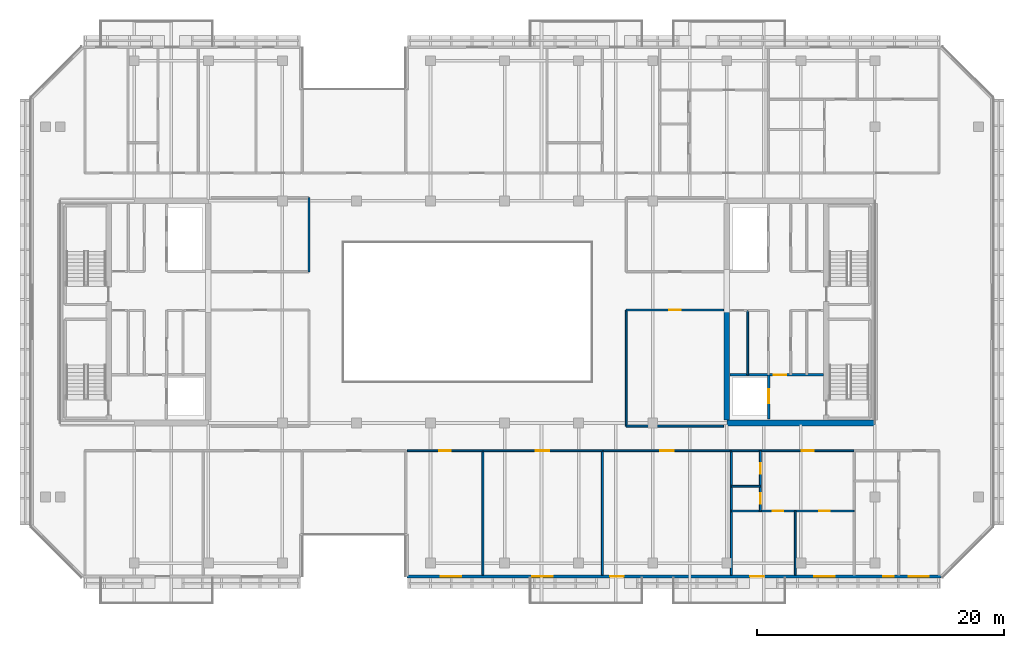
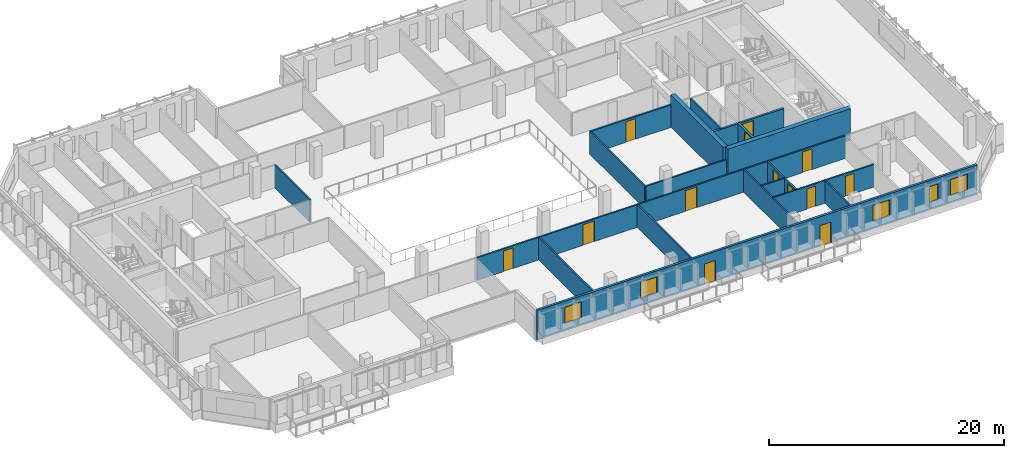
# One storey, part 7 of 16: 21 walls, 13 doors, 5 windows, 18 openings.
"""IFC4 building model written with IfcOpenShell, lengths in metres."""

from ifc_helpers import new_model, si_unit, direction, frame, frame_2d, origin, place, context, subcontext, project, spatial, rectangle, extrude, material, layer, layer_set, type_object, element, fill, save


model = new_model("IFC4")

# Units and contexts
model_context = context("Model", 3, precision=1e-05, world=origin(), true_north=direction((0.0, 1.0)))
body_context = subcontext(model_context, "Body", "Model", "MODEL_VIEW")
ifc_project = project(units=[si_unit("LENGTHUNIT", "METRE"), si_unit("AREAUNIT", "SQUARE_METRE"), si_unit("VOLUMEUNIT", "CUBIC_METRE"), si_unit("PLANEANGLEUNIT", "RADIAN"), si_unit("MASSUNIT", "GRAM", prefix="KILO")], contexts=[model_context])

# Site, building, storey
site_placement = place(None, origin())
site = spatial("IfcSite", under=ifc_project, at=site_placement, CompositionType="ELEMENT")
building_placement = place(site_placement, origin())
building = spatial("IfcBuilding", under=site, at=building_placement, Name="Tanjung Sevakor Pilgrim Tower", CompositionType="ELEMENT")
storey_placement = place(building_placement, frame((0.0, 0.0, 191.72998046875)))
storey = spatial("IfcBuildingStorey", under=building, at=storey_placement, Name="L53", CompositionType="ELEMENT", Elevation=191.72998046875)

# Walls
ifc_material_1 = material(Name="Concrete C60/75", Category="concrete")
ifc_layer_1 = layer(ifc_material_1, 0.449951171875)
ifc_layer_set_1 = layer_set([ifc_layer_1], Name="WALL-CW-450")
wall_type_1 = type_object("IfcWallType", Name="WALL-CW-450", PredefinedType="SHEAR", material=ifc_layer_set_1)
wall_1_placement = place(storey_placement, frame((78.0, 24.60009765625, 0.0), z_axis=(0.0, 0.0, 1.0), x_axis=(1.0, 0.0, 0.0)))
element("IfcWall", 1, at=wall_1_placement, inside=storey, type_object=wall_type_1, Name="L53 E Core South Shear Wall", PredefinedType="SHEAR", context=body_context, shape_type="SweptSolid", body=[
    extrude(rectangle(XDim=12.0, YDim=0.449951171875, at=frame_2d((6.0, 0.0))), origin(), (0.0, 0.0, 1.0), 3.300048828125),
])
wall_2_placement = place(storey_placement, frame((78.0, 24.824951171875, 0.0), z_axis=(0.0, 0.0, 1.0), x_axis=(0.0, 1.0, 0.0)))
element("IfcWall", 2, at=wall_2_placement, inside=storey, type_object=wall_type_1, Name="L53 E Core Inner Shear Wall South", PredefinedType="SHEAR", context=body_context, shape_type="SweptSolid", body=[
    extrude(rectangle(XDim=8.97509765625, YDim=0.449951171875, at=frame_2d((4.487548828125, 0.0))), origin(), (0.0, 0.0, 1.0), 3.300048828125),
])
ifc_material_2 = material(Name="Concrete C40/50", Category="concrete")
ifc_layer_2 = layer(ifc_material_2, 0.14990234375)
ifc_layer_set_2 = layer_set([ifc_layer_2], Name="WT-COMP-150")
wall_type_2 = type_object("IfcWallType", Name="WT-COMP-150", PredefinedType="SOLIDWALL", material=ifc_layer_set_2)
wall_3_placement = place(storey_placement, frame((79.699951171875, 28.5, 0.0), z_axis=(0.0, 0.0, 1.0), x_axis=(0.0, 1.0, 0.0)))
element("IfcWall", 3, at=wall_3_placement, inside=storey, type_object=wall_type_2, Name="L53 Partition IW-L53-023", PredefinedType="SOLIDWALL", context=body_context, shape_type="SweptSolid", body=[
    extrude(rectangle(XDim=5.219970703125, YDim=0.14990234375, at=frame_2d((2.60986328125, 0.0))), origin(), (0.0, 0.0, 1.0), 2.35009765625),
])
wall_4_placement = place(storey_placement, frame((44.14990234375, 36.85009765625, 0.0), z_axis=(0.0, 0.0, 1.0), x_axis=(0.0, 1.0, 0.0)))
element("IfcWall", 4, at=wall_4_placement, inside=storey, type_object=wall_type_2, Name="L53 Partition IW-L53-038", PredefinedType="SOLIDWALL", context=body_context, shape_type="SweptSolid", body=[
    extrude(rectangle(XDim=6.0, YDim=0.14990234375, at=frame_2d((3.0, 0.0))), origin(), (0.0, 0.0, 1.0), 2.35009765625),
])
wall_5_placement = place(storey_placement, frame((69.85009765625, 24.35009765625, 0.0), z_axis=(0.0, 0.0, 1.0), x_axis=(1.0, 0.0, 0.0)))
element("IfcWall", 5, at=wall_5_placement, inside=storey, type_object=wall_type_2, Name="L53 Partition IW-L53-039", PredefinedType="SOLIDWALL", context=body_context, shape_type="SweptSolid", body=[
    extrude(rectangle(XDim=7.90478515625, YDim=0.14990234375, at=frame_2d((3.952392578125, 0.0))), origin(), (0.0, 0.0, 1.0), 2.35009765625),
])

# Wall, opening, door
wall_6_placement = place(storey_placement, frame((69.85009765625, 33.75, 0.0), z_axis=(0.0, 0.0, 1.0), x_axis=(1.0, 0.0, 0.0)))
wall_6 = element("IfcWall", 6, at=wall_6_placement, inside=storey, type_object=wall_type_2, Name="L53 Partition IW-L53-040", PredefinedType="SOLIDWALL", context=body_context, shape_type="SweptSolid", body=[
    extrude(rectangle(XDim=7.90478515625, YDim=0.14990234375, at=frame_2d((3.952392578125, 0.0))), origin(), (0.0, 0.0, 1.0), 2.35009765625),
])
opening_1_placement = place(wall_6_placement, frame((3.4775390625, 0.0, 0.0)))
opening_1 = element("IfcOpeningElement", 7, at=opening_1_placement, cuts=wall_6, Name="Opening ID-RM1", PredefinedType="OPENING", context=body_context, shape_type="SweptSolid", body=[
    extrude(rectangle(XDim=0.949951171875, YDim=2.14990234375, at=frame_2d((0.47509765625, 1.074951171875))), frame((0.0, 0.0849609375, 0.0), z_axis=(0.0, -1.0, 0.0), x_axis=(1.0, 0.0, 0.0)), (0.0, 0.0, 1.0), 0.169921875),
])
ifc_material_3 = material(Name="Hardwood Timber", Category="wood")
door_type_1 = type_object("IfcDoorType", Name="DT-INT-950", OperationType="NOTDEFINED", PredefinedType="DOOR", material=ifc_material_3)
door_1_placement = place(opening_1_placement, origin())
door_1 = element("IfcDoor", 8, at=door_1_placement, inside=storey, type_object=door_type_1, Name="L53 East Inboard South Door", OperationType="SINGLE_SWING_RIGHT", OverallHeight=2.14990234375, OverallWidth=0.949951171875, PredefinedType="DOOR", context=body_context, shape_type="SweptSolid", body=[
    extrude(rectangle(XDim=0.949951171875, YDim=2.14990234375, at=frame_2d((0.47509765625, 1.074951171875))), frame((0.0, 0.02490234375, 0.0), z_axis=(0.0, -1.0, 0.0), x_axis=(1.0, 0.0, 0.0)), (0.0, 0.0, 1.0), 0.050048828125),
])
fill(opening_1, door_1)

# Walls
wall_7_placement = place(storey_placement, frame((69.85009765625, 24.35009765625, 0.0), z_axis=(0.0, 0.0, 1.0), x_axis=(0.0, 1.0, 0.0)))
element("IfcWall", 9, at=wall_7_placement, inside=storey, type_object=wall_type_2, Name="L53 Partition IW-L53-041", PredefinedType="SOLIDWALL", context=body_context, shape_type="SweptSolid", body=[
    extrude(rectangle(XDim=9.39990234375, YDim=0.14990234375, at=frame_2d((4.699951171875, 0.0))), origin(), (0.0, 0.0, 1.0), 2.35009765625),
])
wall_8_placement = place(storey_placement, frame((58.23779296875, 12.27001953125, 0.0), z_axis=(0.0, 0.0, 1.0), x_axis=(0.0, 1.0, 0.0)))
element("IfcWall", 10, at=wall_8_placement, inside=storey, type_object=wall_type_2, Name="L53 Partition IW-L53-056", PredefinedType="SOLIDWALL", context=body_context, shape_type="SweptSolid", body=[
    extrude(rectangle(XDim=10.080078125, YDim=0.14990234375, at=frame_2d((5.0400390625, 0.0))), origin(), (0.0, 0.0, 1.0), 2.35009765625),
])

# Wall, opening, door
wall_9_placement = place(storey_placement, frame((52.1201171875, 22.35009765625, 0.0), z_axis=(0.0, 0.0, 1.0), x_axis=(1.0, 0.0, 0.0)))
wall_9 = element("IfcWall", 11, at=wall_9_placement, inside=storey, type_object=wall_type_2, Name="L53 Partition IW-L53-057", PredefinedType="SOLIDWALL", context=body_context, shape_type="SweptSolid", body=[
    extrude(rectangle(XDim=6.11767578125, YDim=0.14990234375, at=frame_2d((3.058837890625, 0.0))), origin(), (0.0, 0.0, 1.0), 2.35009765625),
])
opening_2_placement = place(wall_9_placement, frame((2.583984375, 0.0, 0.0)))
opening_2 = element("IfcOpeningElement", 12, at=opening_2_placement, cuts=wall_9, Name="Opening ID-FD2", PredefinedType="OPENING", context=body_context, shape_type="SweptSolid", body=[
    extrude(rectangle(XDim=0.949951171875, YDim=2.14990234375, at=frame_2d((0.47509765625, 1.074951171875))), frame((0.0, 0.0849609375, 0.0), z_axis=(0.0, -1.0, 0.0), x_axis=(1.0, 0.0, 0.0)), (0.0, 0.0, 1.0), 0.169921875),
])
ifc_material_4 = material(Name="Fire-Rated Timber", Category="wood")
door_type_2 = type_object("IfcDoorType", Name="DT-FIRE-950", OperationType="NOTDEFINED", PredefinedType="DOOR", material=ifc_material_4)
door_2_placement = place(opening_2_placement, origin())
door_2 = element("IfcDoor", 13, at=door_2_placement, inside=storey, type_object=door_type_2, Name="Housekeeping Pantry Door", OperationType="SINGLE_SWING_RIGHT", OverallHeight=2.14990234375, OverallWidth=0.949951171875, PredefinedType="DOOR", context=body_context, shape_type="SweptSolid", body=[
    extrude(rectangle(XDim=0.949951171875, YDim=2.14990234375, at=frame_2d((0.47509765625, 1.074951171875))), frame((0.0, 0.02490234375, 0.0), z_axis=(0.0, -1.0, 0.0), x_axis=(1.0, 0.0, 0.0)), (0.0, 0.0, 1.0), 0.050048828125),
])
fill(opening_2, door_2)

# Wall
wall_10_placement = place(storey_placement, frame((67.924560546875, 12.27001953125, 0.0), z_axis=(0.0, 0.0, 1.0), x_axis=(0.0, 1.0, 0.0)))
element("IfcWall", 14, at=wall_10_placement, inside=storey, type_object=wall_type_2, Name="L53 Partition IW-L53-058", PredefinedType="SOLIDWALL", context=body_context, shape_type="SweptSolid", body=[
    extrude(rectangle(XDim=10.080078125, YDim=0.14990234375, at=frame_2d((5.0400390625, 0.0))), origin(), (0.0, 0.0, 1.0), 2.35009765625),
])

# Wall, opening, door
wall_11_placement = place(storey_placement, frame((58.23779296875, 22.35009765625, 0.0), z_axis=(0.0, 0.0, 1.0), x_axis=(1.0, 0.0, 0.0)))
wall_11 = element("IfcWall", 15, at=wall_11_placement, inside=storey, type_object=wall_type_2, Name="L53 Partition IW-L53-059", PredefinedType="SOLIDWALL", context=body_context, shape_type="SweptSolid", body=[
    extrude(rectangle(XDim=9.686767578125, YDim=0.14990234375, at=frame_2d((4.84326171875, 0.0))), origin(), (0.0, 0.0, 1.0), 2.35009765625),
])
opening_3_placement = place(wall_11_placement, frame((4.293212890625, 0.0, 0.0)))
opening_3 = element("IfcOpeningElement", 16, at=opening_3_placement, cuts=wall_11, Name="Opening ID-FD0", PredefinedType="OPENING", context=body_context, shape_type="SweptSolid", body=[
    extrude(rectangle(XDim=1.10009765625, YDim=2.14990234375, at=frame_2d((0.550048828125, 1.074951171875))), frame((0.0, 0.0849609375, 0.0), z_axis=(0.0, -1.0, 0.0), x_axis=(1.0, 0.0, 0.0)), (0.0, 0.0, 1.0), 0.169921875),
])
ifc_material_5 = material(Name="Fire-Rated Steel S355J2", Category="steel")
door_type_3 = type_object("IfcDoorType", Name="DT-FIRE-1100", OperationType="NOTDEFINED", PredefinedType="DOOR", material=ifc_material_5)
door_3_placement = place(opening_3_placement, origin())
door_3 = element("IfcDoor", 17, at=door_3_placement, inside=storey, type_object=door_type_3, Name="Seminar Room Door", OperationType="SINGLE_SWING_LEFT", OverallHeight=2.14990234375, OverallWidth=1.10009765625, PredefinedType="DOOR", context=body_context, shape_type="SweptSolid", body=[
    extrude(rectangle(XDim=1.10009765625, YDim=2.14990234375, at=frame_2d((0.550048828125, 1.074951171875))), frame((0.0, 0.02490234375, 0.0), z_axis=(0.0, -1.0, 0.0), x_axis=(1.0, 0.0, 0.0)), (0.0, 0.0, 1.0), 0.050048828125),
])
fill(opening_3, door_3)

# Wall
wall_12_placement = place(storey_placement, frame((78.3759765625, 12.27001953125, 0.0), z_axis=(0.0, 0.0, 1.0), x_axis=(0.0, 1.0, 0.0)))
element("IfcWall", 18, at=wall_12_placement, inside=storey, type_object=wall_type_2, Name="L53 Partition IW-L53-060", PredefinedType="SOLIDWALL", context=body_context, shape_type="SweptSolid", body=[
    extrude(rectangle(XDim=10.080078125, YDim=0.14990234375, at=frame_2d((5.0400390625, 0.0))), origin(), (0.0, 0.0, 1.0), 2.35009765625),
])

# Wall, opening, door
wall_13_placement = place(storey_placement, frame((67.924560546875, 22.35009765625, 0.0), z_axis=(0.0, 0.0, 1.0), x_axis=(1.0, 0.0, 0.0)))
wall_13 = element("IfcWall", 19, at=wall_13_placement, inside=storey, type_object=wall_type_2, Name="L53 Partition IW-L53-061", PredefinedType="SOLIDWALL", context=body_context, shape_type="SweptSolid", body=[
    extrude(rectangle(XDim=10.451416015625, YDim=0.14990234375, at=frame_2d((5.2255859375, 0.0))), origin(), (0.0, 0.0, 1.0), 2.35009765625),
])
opening_4_placement = place(wall_13_placement, frame((4.67578125, 0.0, 0.0)))
opening_4 = element("IfcOpeningElement", 20, at=opening_4_placement, cuts=wall_13, Name="Opening ID-FD0", PredefinedType="OPENING", context=body_context, shape_type="SweptSolid", body=[
    extrude(rectangle(XDim=1.10009765625, YDim=2.14990234375, at=frame_2d((0.550048828125, 1.074951171875))), frame((0.0, 0.0849609375, 0.0), z_axis=(0.0, -1.0, 0.0), x_axis=(1.0, 0.0, 0.0)), (0.0, 0.0, 1.0), 0.169921875),
])
door_4_placement = place(opening_4_placement, origin())
door_4 = element("IfcDoor", 21, at=door_4_placement, inside=storey, type_object=door_type_3, Name="Observatory Door", OperationType="SINGLE_SWING_RIGHT", OverallHeight=2.14990234375, OverallWidth=1.10009765625, PredefinedType="DOOR", context=body_context, shape_type="SweptSolid", body=[
    extrude(rectangle(XDim=1.10009765625, YDim=2.14990234375, at=frame_2d((0.550048828125, 1.074951171875))), frame((0.0, 0.02490234375, 0.0), z_axis=(0.0, -1.0, 0.0), x_axis=(1.0, 0.0, 0.0)), (0.0, 0.0, 1.0), 0.050048828125),
])
fill(opening_4, door_4)

wall_14_placement = place(storey_placement, frame((78.3759765625, 22.35009765625, 0.0), z_axis=(0.0, 0.0, 1.0), x_axis=(1.0, 0.0, 0.0)))
wall_14 = element("IfcWall", 22, at=wall_14_placement, inside=storey, type_object=wall_type_2, Name="L53 Partition IW-L53-067", PredefinedType="SOLIDWALL", context=body_context, shape_type="SweptSolid", body=[
    extrude(rectangle(XDim=9.94140625, YDim=0.14990234375, at=frame_2d((4.970703125, 0.0))), origin(), (0.0, 0.0, 1.0), 2.35009765625),
])
opening_5_placement = place(wall_14_placement, frame((5.710693359375, 0.0, 0.0)))
opening_5 = element("IfcOpeningElement", 23, at=opening_5_placement, cuts=wall_14, Name="Opening ID-FD2", PredefinedType="OPENING", context=body_context, shape_type="SweptSolid", body=[
    extrude(rectangle(XDim=0.949951171875, YDim=2.14990234375, at=frame_2d((0.47509765625, 1.074951171875))), frame((0.0, 0.0849609375, 0.0), z_axis=(0.0, -1.0, 0.0), x_axis=(1.0, 0.0, 0.0)), (0.0, 0.0, 1.0), 0.169921875),
])
door_5_placement = place(opening_5_placement, origin())
door_5 = element("IfcDoor", 24, at=door_5_placement, inside=storey, type_object=door_type_2, Name="Suite Entrance", OperationType="SINGLE_SWING_LEFT", OverallHeight=2.14990234375, OverallWidth=0.949951171875, PredefinedType="DOOR", context=body_context, shape_type="SweptSolid", body=[
    extrude(rectangle(XDim=0.949951171875, YDim=2.14990234375, at=frame_2d((0.47509765625, 1.074951171875))), frame((0.0, 0.02490234375, 0.0), z_axis=(0.0, -1.0, 0.0), x_axis=(1.0, 0.0, 0.0)), (0.0, 0.0, 1.0), 0.050048828125),
])
fill(opening_5, door_5)

# Wall, openings, doors, windows
ifc_material_6 = material(Name="Precast concrete C45/55", Category="concrete")
ifc_layer_3 = layer(ifc_material_6, 0.219970703125)
ifc_layer_set_3 = layer_set([ifc_layer_3], Name="WT-EW-STN4")
wall_type_3 = type_object("IfcWallType", Name="WT-EW-STN4", PredefinedType="SOLIDWALL", material=ifc_layer_set_3)
wall_15_placement = place(storey_placement, frame((52.110107421875, 12.159912109375, 0.0), z_axis=(0.0, 0.0, 1.0), x_axis=(1.0, 0.0, 0.0)))
wall_15 = element("IfcWall", 25, at=wall_15_placement, inside=storey, type_object=wall_type_3, Name="L53 MAIN Exterior Wall 5", PredefinedType="SOLIDWALL", context=body_context, shape_type="SweptSolid", body=[
    extrude(rectangle(XDim=43.244384765625, YDim=0.219970703125, at=frame_2d((21.6220703125, 0.0))), origin(), (0.0, 0.0, 1.0), 3.080078125),
])
opening_6_placement = place(wall_15_placement, frame((16.43994140625, 0.0, 0.0)))
opening_6 = element("IfcOpeningElement", 26, at=opening_6_placement, cuts=wall_15, Name="Opening ED-BAL-1100", PredefinedType="OPENING", context=body_context, shape_type="SweptSolid", body=[
    extrude(rectangle(XDim=1.10009765625, YDim=2.14990234375, at=frame_2d((0.550048828125, 1.074951171875))), frame((0.0, 0.119873046875, 0.0), z_axis=(0.0, -1.0, 0.0), x_axis=(1.0, 0.0, 0.0)), (0.0, 0.0, 1.0), 0.239990234375),
])
opening_7_placement = place(wall_15_placement, frame((27.7900390625, 0.0, 0.0)))
opening_7 = element("IfcOpeningElement", 27, at=opening_7_placement, cuts=wall_15, Name="Opening ED-BAL-1100", PredefinedType="OPENING", context=body_context, shape_type="SweptSolid", body=[
    extrude(rectangle(XDim=1.10009765625, YDim=2.14990234375, at=frame_2d((0.550048828125, 1.074951171875))), frame((0.0, 0.119873046875, 0.0), z_axis=(0.0, -1.0, 0.0), x_axis=(1.0, 0.0, 0.0)), (0.0, 0.0, 1.0), 0.239990234375),
])
opening_8_placement = place(wall_15_placement, frame((2.72412109375, 0.0, 0.780029296875)))
opening_8 = element("IfcOpeningElement", 28, at=opening_8_placement, cuts=wall_15, Name="Opening WN-Z4-1660", PredefinedType="OPENING", context=body_context, shape_type="SweptSolid", body=[
    extrude(rectangle(XDim=1.64990234375, YDim=1.659912109375, at=frame_2d((0.824951171875, 0.830078125))), frame((0.0, 0.119873046875, 0.0), z_axis=(0.0, -1.0, 0.0), x_axis=(1.0, 0.0, 0.0)), (0.0, 0.0, 1.0), 0.239990234375),
])
opening_9_placement = place(wall_15_placement, frame((10.146240234375, 0.0, 0.780029296875)))
opening_9 = element("IfcOpeningElement", 29, at=opening_9_placement, cuts=wall_15, Name="Opening WN-Z4-1660", PredefinedType="OPENING", context=body_context, shape_type="SweptSolid", body=[
    extrude(rectangle(XDim=1.64990234375, YDim=1.659912109375, at=frame_2d((0.824951171875, 0.830078125))), frame((0.0, 0.119873046875, 0.0), z_axis=(0.0, -1.0, 0.0), x_axis=(1.0, 0.0, 0.0)), (0.0, 0.0, 1.0), 0.239990234375),
])
opening_10_placement = place(wall_15_placement, frame((32.986328125, 0.0, 0.780029296875)))
opening_10 = element("IfcOpeningElement", 30, at=opening_10_placement, cuts=wall_15, Name="Opening WN-Z4-1660", PredefinedType="OPENING", context=body_context, shape_type="SweptSolid", body=[
    extrude(rectangle(XDim=1.64990234375, YDim=1.659912109375, at=frame_2d((0.824951171875, 0.830078125))), frame((0.0, 0.119873046875, 0.0), z_axis=(0.0, -1.0, 0.0), x_axis=(1.0, 0.0, 0.0)), (0.0, 0.0, 1.0), 0.239990234375),
])
opening_11_placement = place(wall_15_placement, frame((38.5537109375, 0.0, 0.780029296875)))
opening_11 = element("IfcOpeningElement", 31, at=opening_11_placement, cuts=wall_15, Name="Opening WN-SLM", PredefinedType="OPENING", context=body_context, shape_type="SweptSolid", body=[
    extrude(rectangle(XDim=0.85009765625, YDim=1.64990234375, at=frame_2d((0.425048828125, 0.824951171875))), frame((0.0, 0.119873046875, 0.0), z_axis=(0.0, -1.0, 0.0), x_axis=(1.0, 0.0, 0.0)), (0.0, 0.0, 1.0), 0.239990234375),
])
opening_12_placement = place(wall_15_placement, frame((40.614990234375, 0.0, 0.780029296875)))
opening_12 = element("IfcOpeningElement", 32, at=opening_12_placement, cuts=wall_15, Name="Opening WN-Z4-1660", PredefinedType="OPENING", context=body_context, shape_type="SweptSolid", body=[
    extrude(rectangle(XDim=1.64990234375, YDim=1.659912109375, at=frame_2d((0.824951171875, 0.830078125))), frame((0.0, 0.119873046875, 0.0), z_axis=(0.0, -1.0, 0.0), x_axis=(1.0, 0.0, 0.0)), (0.0, 0.0, 1.0), 0.239990234375),
])
ifc_material_7 = material(Name="Anodised Aluminium and Laminated Glass", Category="aluminium")
door_type_4 = type_object("IfcDoorType", Name="DTYP-ED-BAL-1100", OperationType="NOTDEFINED", PredefinedType="DOOR", material=ifc_material_7)
door_6_placement = place(opening_6_placement, frame((1.10009765625, 0.0, 0.0), z_axis=(0.0, 0.0, 1.0), x_axis=(-1.0, 0.0, 0.0)))
door_6 = element("IfcDoor", 33, at=door_6_placement, inside=storey, type_object=door_type_4, Name="L53 Balcony Door MAIN-S2", OperationType="SINGLE_SWING_RIGHT", OverallHeight=2.14990234375, OverallWidth=1.10009765625, PredefinedType="DOOR", context=body_context, shape_type="SweptSolid", body=[
    extrude(rectangle(XDim=1.10009765625, YDim=2.14990234375, at=frame_2d((0.550048828125, 1.074951171875))), frame((0.0, 0.02490234375, 0.0), z_axis=(0.0, -1.0, 0.0), x_axis=(1.0, 0.0, 0.0)), (0.0, 0.0, 1.0), 0.050048828125),
])
fill(opening_6, door_6)
door_7_placement = place(opening_7_placement, frame((1.10009765625, 0.0, 0.0), z_axis=(0.0, 0.0, 1.0), x_axis=(-1.0, 0.0, 0.0)))
door_7 = element("IfcDoor", 34, at=door_7_placement, inside=storey, type_object=door_type_4, Name="L53 Balcony Door MAIN-S3", OperationType="SINGLE_SWING_LEFT", OverallHeight=2.14990234375, OverallWidth=1.10009765625, PredefinedType="DOOR", context=body_context, shape_type="SweptSolid", body=[
    extrude(rectangle(XDim=1.10009765625, YDim=2.14990234375, at=frame_2d((0.550048828125, 1.074951171875))), frame((0.0, 0.02490234375, 0.0), z_axis=(0.0, -1.0, 0.0), x_axis=(1.0, 0.0, 0.0)), (0.0, 0.0, 1.0), 0.050048828125),
])
fill(opening_7, door_7)
ifc_material_8 = material(Name="Thermally Broken Aluminium and Low-E Glass", Category="aluminium")
window_type_1 = type_object("IfcWindowType", Name="WTYP-WN-SLM", PartitioningType="SINGLE_PANEL", PredefinedType="WINDOW", material=ifc_material_8)
window_1_placement = place(opening_11_placement, origin())
window_1 = element("IfcWindow", 35, at=window_1_placement, inside=storey, type_object=window_type_1, Name="L53 Facade Window 04", OverallHeight=1.64990234375, OverallWidth=0.85009765625, PartitioningType="SINGLE_PANEL", PredefinedType="WINDOW", context=body_context, shape_type="SweptSolid", body=[
    extrude(rectangle(XDim=0.85009765625, YDim=1.64990234375, at=frame_2d((0.425048828125, 0.824951171875))), frame((0.0, 0.030029296875, 0.0), z_axis=(0.0, -1.0, 0.0), x_axis=(1.0, 0.0, 0.0)), (0.0, 0.0, 1.0), 0.06005859375),
])
fill(opening_11, window_1)
ifc_material_9 = material(Name="Thermally Broken Aluminium and Low-E Glass", Category="aluminium")
window_type_2 = type_object("IfcWindowType", Name="WTYP-WN-Z4-1660", PartitioningType="DOUBLE_PANEL_VERTICAL", PredefinedType="WINDOW", material=ifc_material_9)
window_2_placement = place(opening_8_placement, origin())
window_2 = element("IfcWindow", 36, at=window_2_placement, inside=storey, type_object=window_type_2, Name="L53 Facade Window 01", OverallHeight=1.659912109375, OverallWidth=1.64990234375, PartitioningType="SINGLE_PANEL", PredefinedType="WINDOW", context=body_context, shape_type="SweptSolid", body=[
    extrude(rectangle(XDim=1.64990234375, YDim=1.659912109375, at=frame_2d((0.824951171875, 0.830078125))), frame((0.0, 0.030029296875, 0.0), z_axis=(0.0, -1.0, 0.0), x_axis=(1.0, 0.0, 0.0)), (0.0, 0.0, 1.0), 0.06005859375),
])
fill(opening_8, window_2)
window_3_placement = place(opening_9_placement, origin())
window_3 = element("IfcWindow", 37, at=window_3_placement, inside=storey, type_object=window_type_2, Name="L53 Facade Window 02", OverallHeight=1.659912109375, OverallWidth=1.64990234375, PartitioningType="SINGLE_PANEL", PredefinedType="WINDOW", context=body_context, shape_type="SweptSolid", body=[
    extrude(rectangle(XDim=1.64990234375, YDim=1.659912109375, at=frame_2d((0.824951171875, 0.830078125))), frame((0.0, 0.030029296875, 0.0), z_axis=(0.0, -1.0, 0.0), x_axis=(1.0, 0.0, 0.0)), (0.0, 0.0, 1.0), 0.06005859375),
])
fill(opening_9, window_3)
window_4_placement = place(opening_10_placement, origin())
window_4 = element("IfcWindow", 38, at=window_4_placement, inside=storey, type_object=window_type_2, Name="L53 Facade Window 03", OverallHeight=1.659912109375, OverallWidth=1.64990234375, PartitioningType="SINGLE_PANEL", PredefinedType="WINDOW", context=body_context, shape_type="SweptSolid", body=[
    extrude(rectangle(XDim=1.64990234375, YDim=1.659912109375, at=frame_2d((0.824951171875, 0.830078125))), frame((0.0, 0.030029296875, 0.0), z_axis=(0.0, -1.0, 0.0), x_axis=(1.0, 0.0, 0.0)), (0.0, 0.0, 1.0), 0.06005859375),
])
fill(opening_10, window_4)
window_5_placement = place(opening_12_placement, origin())
window_5 = element("IfcWindow", 39, at=window_5_placement, inside=storey, type_object=window_type_2, Name="L53 Facade Window 05", OverallHeight=1.659912109375, OverallWidth=1.64990234375, PartitioningType="SINGLE_PANEL", PredefinedType="WINDOW", context=body_context, shape_type="SweptSolid", body=[
    extrude(rectangle(XDim=1.64990234375, YDim=1.659912109375, at=frame_2d((0.824951171875, 0.830078125))), frame((0.0, 0.030029296875, 0.0), z_axis=(0.0, -1.0, 0.0), x_axis=(1.0, 0.0, 0.0)), (0.0, 0.0, 1.0), 0.06005859375),
])
fill(opening_12, window_5)

# Wall, opening, door
ifc_material_10 = material(Name="Concrete C40/50", Category="concrete")
ifc_layer_4 = layer(ifc_material_10, 0.199951171875)
ifc_layer_set_4 = layer_set([ifc_layer_4], Name="WT-FPRT-200")
wall_type_4 = type_object("IfcWallType", Name="WT-FPRT-200", PredefinedType="SOLIDWALL", material=ifc_layer_set_4)
wall_16_placement = place(storey_placement, frame((81.39990234375, 24.919921875, 0.0), z_axis=(0.0, 0.0, 1.0), x_axis=(0.0, 1.0, 0.0)))
wall_16 = element("IfcWall", 40, at=wall_16_placement, inside=storey, type_object=wall_type_4, Name="L53 Partition IW-L53-017", PredefinedType="SOLIDWALL", context=body_context, shape_type="SweptSolid", body=[
    extrude(rectangle(XDim=3.580078125, YDim=0.199951171875, at=frame_2d((1.7900390625, 0.0))), origin(), (0.0, 0.0, 1.0), 2.35009765625),
])
opening_13_placement = place(wall_16_placement, frame((1.300048828125, 0.0, 0.0)))
opening_13 = element("IfcOpeningElement", 41, at=opening_13_placement, cuts=wall_16, Name="Opening LD-1100", PredefinedType="OPENING", context=body_context, shape_type="SweptSolid", body=[
    extrude(rectangle(XDim=1.10009765625, YDim=2.199951171875, at=frame_2d((0.550048828125, 1.10009765625))), frame((0.0, 0.10986328125, 0.0), z_axis=(0.0, -1.0, 0.0), x_axis=(1.0, 0.0, 0.0)), (0.0, 0.0, 1.0), 0.219970703125),
])
ifc_material_11 = material(Name="Brushed Stainless Steel S355J2", Category="steel")
door_type_5 = type_object("IfcDoorType", Name="DT-LIFT-1100", OperationType="SLIDING_TO_LEFT", PredefinedType="DOOR", material=ifc_material_11)
door_8_placement = place(opening_13_placement, origin())
door_8 = element("IfcDoor", 42, at=door_8_placement, inside=storey, type_object=door_type_5, Name="LD-FL-E", OperationType="SLIDING_TO_LEFT", OverallHeight=2.199951171875, OverallWidth=1.10009765625, PredefinedType="DOOR", context=body_context, shape_type="SweptSolid", body=[
    extrude(rectangle(XDim=1.10009765625, YDim=2.199951171875, at=frame_2d((0.550048828125, 1.10009765625))), frame((0.0, 0.02490234375, 0.0), z_axis=(0.0, -1.0, 0.0), x_axis=(1.0, 0.0, 0.0)), (0.0, 0.0, 1.0), 0.050048828125),
])
fill(opening_13, door_8)

wall_17_placement = place(storey_placement, frame((78.2451171875, 28.5, 0.0), z_axis=(0.0, 0.0, 1.0), x_axis=(1.0, 0.0, 0.0)))
wall_17 = element("IfcWall", 43, at=wall_17_placement, inside=storey, type_object=wall_type_4, Name="L53 Partition IW-L53-018", PredefinedType="SOLIDWALL", context=body_context, shape_type="SweptSolid", body=[
    extrude(rectangle(XDim=7.5849609375, YDim=0.199951171875, at=frame_2d((3.79248046875, 0.0))), origin(), (0.0, 0.0, 1.0), 2.35009765625),
])
opening_14_placement = place(wall_17_placement, frame((3.554931640625, 0.0, 0.0)))
opening_14 = element("IfcOpeningElement", 44, at=opening_14_placement, cuts=wall_17, Name="Opening ID-FD1", PredefinedType="OPENING", context=body_context, shape_type="SweptSolid", body=[
    extrude(rectangle(XDim=1.0, YDim=2.14990234375, at=frame_2d((0.5, 1.074951171875))), frame((0.0, 0.10986328125, 0.0), z_axis=(0.0, -1.0, 0.0), x_axis=(1.0, 0.0, 0.0)), (0.0, 0.0, 1.0), 0.219970703125),
])
ifc_material_12 = material(Name="Fire-Rated Steel S355J2", Category="steel")
door_type_6 = type_object("IfcDoorType", Name="DT-FIRE-1000", OperationType="NOTDEFINED", PredefinedType="DOOR", material=ifc_material_12)
door_9_placement = place(opening_14_placement, origin())
door_9 = element("IfcDoor", 45, at=door_9_placement, inside=storey, type_object=door_type_6, Name="Fire Lobby Door E", OperationType="SINGLE_SWING_LEFT", OverallHeight=2.14990234375, OverallWidth=1.0, PredefinedType="DOOR", context=body_context, shape_type="SweptSolid", body=[
    extrude(rectangle(XDim=1.0, YDim=2.14990234375, at=frame_2d((0.5, 1.074951171875))), frame((0.0, 0.02490234375, 0.0), z_axis=(0.0, -1.0, 0.0), x_axis=(1.0, 0.0, 0.0)), (0.0, 0.0, 1.0), 0.050048828125),
])
fill(opening_14, door_9)

# Wall
ifc_material_13 = material(Name="Gypsum Board Partition", Category="gypsum board")
ifc_layer_5 = layer(ifc_material_13, 0.14990234375)
ifc_layer_set_5 = layer_set([ifc_layer_5], Name="WT-PART-150")
wall_type_5 = type_object("IfcWallType", Name="WT-PART-150", PredefinedType="PARTITIONING", material=ifc_layer_set_5)
wall_18_placement = place(storey_placement, frame((78.3759765625, 19.470703125, 0.0), z_axis=(0.0, 0.0, 1.0), x_axis=(1.0, 0.0, 0.0)))
element("IfcWall", 46, at=wall_18_placement, inside=storey, type_object=wall_type_5, Name="L53 Partition IW-L53-063", PredefinedType="PARTITIONING", context=body_context, shape_type="SweptSolid", body=[
    extrude(rectangle(XDim=2.349853515625, YDim=0.14990234375, at=frame_2d((1.1748046875, 0.0))), origin(), (0.0, 0.0, 1.0), 2.35009765625),
])

# Wall, openings, doors
wall_19_placement = place(storey_placement, frame((80.725830078125, 17.469970703125, 0.0), z_axis=(0.0, 0.0, 1.0), x_axis=(0.0, 1.0, 0.0)))
wall_19 = element("IfcWall", 47, at=wall_19_placement, inside=storey, type_object=wall_type_5, Name="L53 Partition IW-L53-064", PredefinedType="PARTITIONING", context=body_context, shape_type="SweptSolid", body=[
    extrude(rectangle(XDim=4.880126953125, YDim=0.14990234375, at=frame_2d((2.43994140625, 0.0))), origin(), (0.0, 0.0, 1.0), 2.35009765625),
])
opening_15_placement = place(wall_19_placement, frame((0.575439453125, 0.0, 0.0)))
opening_15 = element("IfcOpeningElement", 48, at=opening_15_placement, cuts=wall_19, Name="Opening ID-WC1", PredefinedType="OPENING", context=body_context, shape_type="SweptSolid", body=[
    extrude(rectangle(XDim=0.85009765625, YDim=2.10009765625, at=frame_2d((0.425048828125, 1.050048828125))), frame((0.0, 0.0849609375, 0.0), z_axis=(0.0, -1.0, 0.0), x_axis=(1.0, 0.0, 0.0)), (0.0, 0.0, 1.0), 0.169921875),
])
opening_16_placement = place(wall_19_placement, frame((3.015380859375, 0.0, 0.0)))
opening_16 = element("IfcOpeningElement", 49, at=opening_16_placement, cuts=wall_19, Name="Opening ID-WC1", PredefinedType="OPENING", context=body_context, shape_type="SweptSolid", body=[
    extrude(rectangle(XDim=0.85009765625, YDim=2.10009765625, at=frame_2d((0.425048828125, 1.050048828125))), frame((0.0, 0.0849609375, 0.0), z_axis=(0.0, -1.0, 0.0), x_axis=(1.0, 0.0, 0.0)), (0.0, 0.0, 1.0), 0.169921875),
])
ifc_material_14 = material(Name="Moisture-Resistant Timber", Category="wood")
door_type_7 = type_object("IfcDoorType", Name="DT-INT-850", OperationType="NOTDEFINED", PredefinedType="DOOR", material=ifc_material_14)
door_10_placement = place(opening_15_placement, origin())
door_10 = element("IfcDoor", 50, at=door_10_placement, inside=storey, type_object=door_type_7, Name="Suite Bathroom Door", OperationType="SINGLE_SWING_LEFT", OverallHeight=2.10009765625, OverallWidth=0.85009765625, PredefinedType="DOOR", context=body_context, shape_type="SweptSolid", body=[
    extrude(rectangle(XDim=0.85009765625, YDim=2.10009765625, at=frame_2d((0.425048828125, 1.050048828125))), frame((0.0, 0.02490234375, 0.0), z_axis=(0.0, -1.0, 0.0), x_axis=(1.0, 0.0, 0.0)), (0.0, 0.0, 1.0), 0.050048828125),
])
fill(opening_15, door_10)
door_11_placement = place(opening_16_placement, origin())
door_11 = element("IfcDoor", 51, at=door_11_placement, inside=storey, type_object=door_type_7, Name="Suite Kitchenette Door", OperationType="SINGLE_SWING_RIGHT", OverallHeight=2.10009765625, OverallWidth=0.85009765625, PredefinedType="DOOR", context=body_context, shape_type="SweptSolid", body=[
    extrude(rectangle(XDim=0.85009765625, YDim=2.10009765625, at=frame_2d((0.425048828125, 1.050048828125))), frame((0.0, 0.02490234375, 0.0), z_axis=(0.0, -1.0, 0.0), x_axis=(1.0, 0.0, 0.0)), (0.0, 0.0, 1.0), 0.050048828125),
])
fill(opening_16, door_11)

# Wall
wall_20_placement = place(storey_placement, frame((83.54541015625, 12.27001953125, 0.0), z_axis=(0.0, 0.0, 1.0), x_axis=(0.0, 1.0, 0.0)))
element("IfcWall", 52, at=wall_20_placement, inside=storey, type_object=wall_type_5, Name="L53 Partition IW-L53-065", PredefinedType="PARTITIONING", context=body_context, shape_type="SweptSolid", body=[
    extrude(rectangle(XDim=5.199951171875, YDim=0.14990234375, at=frame_2d((2.60009765625, 0.0))), origin(), (0.0, 0.0, 1.0), 2.35009765625),
])

# Wall, openings, doors
wall_21_placement = place(storey_placement, frame((78.3759765625, 17.469970703125, 0.0), z_axis=(0.0, 0.0, 1.0), x_axis=(1.0, 0.0, 0.0)))
wall_21 = element("IfcWall", 53, at=wall_21_placement, inside=storey, type_object=wall_type_5, Name="L53 Partition IW-L53-066", PredefinedType="PARTITIONING", context=body_context, shape_type="SweptSolid", body=[
    extrude(rectangle(XDim=9.94140625, YDim=0.14990234375, at=frame_2d((4.970703125, 0.0))), origin(), (0.0, 0.0, 1.0), 2.35009765625),
])
opening_17_placement = place(wall_21_placement, frame((3.334716796875, 0.0, 0.0)))
opening_17 = element("IfcOpeningElement", 54, at=opening_17_placement, cuts=wall_21, Name="Opening ID-WC1", PredefinedType="OPENING", context=body_context, shape_type="SweptSolid", body=[
    extrude(rectangle(XDim=0.85009765625, YDim=2.10009765625, at=frame_2d((0.425048828125, 1.050048828125))), frame((0.0, 0.0849609375, 0.0), z_axis=(0.0, -1.0, 0.0), x_axis=(1.0, 0.0, 0.0)), (0.0, 0.0, 1.0), 0.169921875),
])
opening_18_placement = place(wall_21_placement, frame((7.130615234375, 0.0, 0.0)))
opening_18 = element("IfcOpeningElement", 55, at=opening_18_placement, cuts=wall_21, Name="Opening ID-WC1", PredefinedType="OPENING", context=body_context, shape_type="SweptSolid", body=[
    extrude(rectangle(XDim=0.85009765625, YDim=2.10009765625, at=frame_2d((0.425048828125, 1.050048828125))), frame((0.0, 0.0849609375, 0.0), z_axis=(0.0, -1.0, 0.0), x_axis=(1.0, 0.0, 0.0)), (0.0, 0.0, 1.0), 0.169921875),
])
door_12_placement = place(opening_17_placement, origin())
door_12 = element("IfcDoor", 56, at=door_12_placement, inside=storey, type_object=door_type_7, Name="Suite Bedroom 1 Door", OperationType="SINGLE_SWING_LEFT", OverallHeight=2.10009765625, OverallWidth=0.85009765625, PredefinedType="DOOR", context=body_context, shape_type="SweptSolid", body=[
    extrude(rectangle(XDim=0.85009765625, YDim=2.10009765625, at=frame_2d((0.425048828125, 1.050048828125))), frame((0.0, 0.02490234375, 0.0), z_axis=(0.0, -1.0, 0.0), x_axis=(1.0, 0.0, 0.0)), (0.0, 0.0, 1.0), 0.050048828125),
])
fill(opening_17, door_12)
door_13_placement = place(opening_18_placement, origin())
door_13 = element("IfcDoor", 57, at=door_13_placement, inside=storey, type_object=door_type_7, Name="Suite Bedroom 2 Door", OperationType="SINGLE_SWING_RIGHT", OverallHeight=2.10009765625, OverallWidth=0.85009765625, PredefinedType="DOOR", context=body_context, shape_type="SweptSolid", body=[
    extrude(rectangle(XDim=0.85009765625, YDim=2.10009765625, at=frame_2d((0.425048828125, 1.050048828125))), frame((0.0, 0.02490234375, 0.0), z_axis=(0.0, -1.0, 0.0), x_axis=(1.0, 0.0, 0.0)), (0.0, 0.0, 1.0), 0.050048828125),
])
fill(opening_18, door_13)

save(model, "model.ifc")
